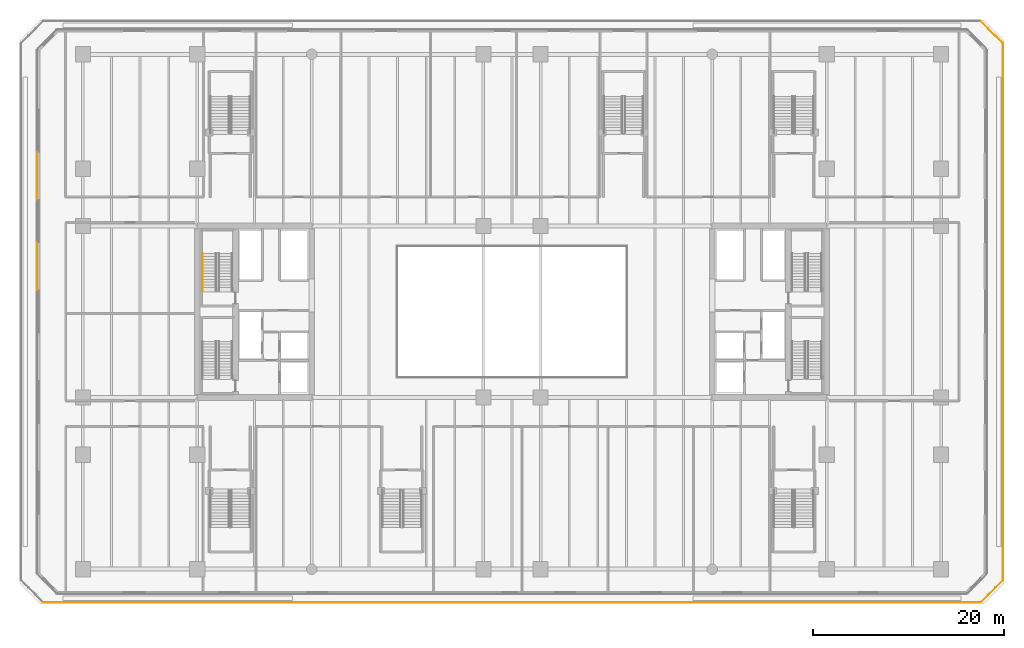
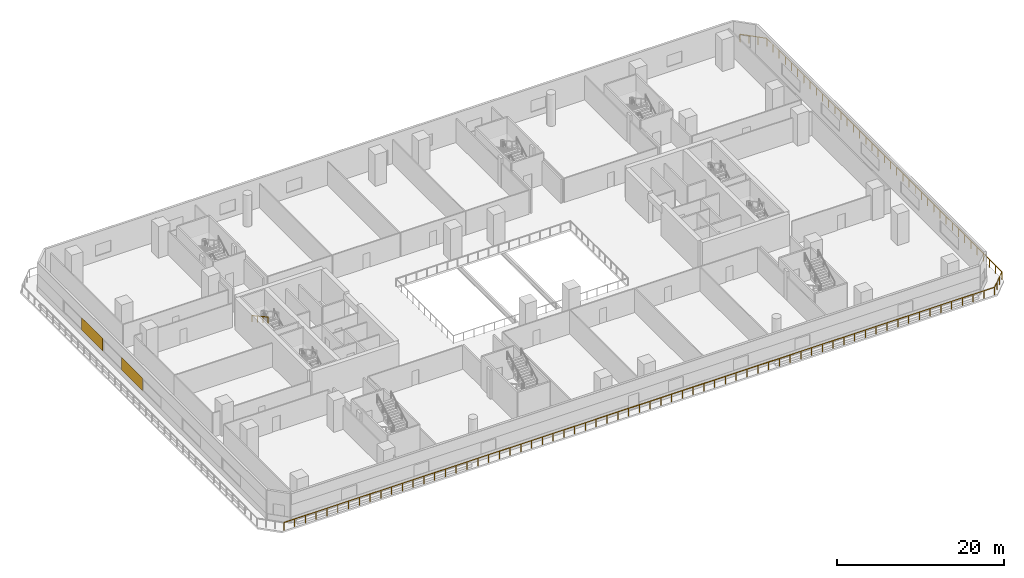
# One storey, part 17 of 27: 2 coverings, 2 railings.
"""IFC4 building model written with IfcOpenShell, lengths in metres."""

import ifcopenshell
import ifcopenshell.guid

model = None  # the IFC model being written
_history = None  # IfcOwnerHistory: only IFC2X3 demands one
_inside = {}  # id of a spatial element -> (the spatial element, [elements in it])
_under = {}  # id of a project, library or spatial element -> (it, [spatial elements below it])
_declared = {}  # id of a project -> (the project, [libraries it declares])
_typed = {}  # id of a type object -> (the type object, [elements of that type])
_made_of = {}  # id of a material, layer set ... -> (it, [elements and type objects made of it])


def new_model(schema):
    """Start an empty IFC model of exactly this schema.

    Asked for "IFC4X3", IfcOpenShell would pick the latest addendum, in which some entities
    have other attributes; the version numbers below select the first issue.
    IFC2X3 requires an IfcOwnerHistory on every rooted entity: one is made here for all.
    """
    global model, _history
    if schema == "IFC4X3":
        model = ifcopenshell.file(schema_version=(4, 3, 0, 0))
    else:
        model = ifcopenshell.file(schema=schema)
    _inside.clear()
    _under.clear()
    _declared.clear()
    _typed.clear()
    _made_of.clear()
    _history = None
    if model.schema == "IFC2X3":
        org = make("IfcOrganization", Name="unknown")
        user = make(
            "IfcPersonAndOrganization",
            ThePerson=make("IfcPerson", FamilyName="unknown"),
            TheOrganization=org,
        )
        app = make(
            "IfcApplication",
            ApplicationDeveloper=org,
            Version="unknown",
            ApplicationFullName="unknown",
            ApplicationIdentifier="unknown",
        )
        _history = make(
            "IfcOwnerHistory",
            OwningUser=user,
            OwningApplication=app,
            ChangeAction="ADDED",
            CreationDate=0,
        )
    return model


def make(cls, **values):
    """One entity of the class cls with the attributes given. An attribute that is None is left unset."""
    return model.create_entity(
        cls, **{name: value for name, value in values.items() if value is not None}
    )


def rooted(cls, **values):
    """An entity with a GlobalId (a new one), such as an element, a storey or a relation."""
    return make(cls, GlobalId=ifcopenshell.guid.new(), OwnerHistory=_history, **values)


def si_unit(unit_type, name, prefix=None):
    """IfcSIUnit, for example si_unit("LENGTHUNIT", "METRE", prefix="MILLI")."""
    return make("IfcSIUnit", UnitType=unit_type, Prefix=prefix, Name=name)


def assignment(units):
    """IfcUnitAssignment: the units of a project."""
    return None if units is None else make("IfcUnitAssignment", Units=units)


def point(xyz):
    """IfcCartesianPoint."""
    return None if xyz is None else make("IfcCartesianPoint", Coordinates=xyz)


def direction(xyz):
    """IfcDirection."""
    return None if xyz is None else make("IfcDirection", DirectionRatios=xyz)


def frame(location, z_axis=None, x_axis=None):
    """IfcAxis2Placement3D, a coordinate frame: its origin and axes. An axis left out is left unset."""
    return make(
        "IfcAxis2Placement3D",
        Location=point(location),
        Axis=direction(z_axis),
        RefDirection=direction(x_axis),
    )


def frame_2d(location, x_axis=None):
    """IfcAxis2Placement2D, a coordinate frame in the plane: its origin and x axis."""
    return make(
        "IfcAxis2Placement2D", Location=point(location), RefDirection=direction(x_axis)
    )


def origin():
    """The frame at (0, 0, 0) with its axes left unset."""
    return frame((0.0, 0.0, 0.0))


def origin_2d():
    """The frame at (0, 0) in the plane with its x axis left unset."""
    return frame_2d((0.0, 0.0))


def place(relative_to, where):
    """IfcLocalPlacement: puts the frame where relative to a parent placement (None: the world)."""
    return make(
        "IfcLocalPlacement", PlacementRelTo=relative_to, RelativePlacement=where
    )


def context(
    kind, dimensions, precision=None, world=None, true_north=None, identifier=None
):
    """IfcGeometricRepresentationContext, for example the 3D "Model" context."""
    return make(
        "IfcGeometricRepresentationContext",
        ContextIdentifier=identifier,
        ContextType=kind,
        CoordinateSpaceDimension=dimensions,
        Precision=precision,
        WorldCoordinateSystem=world,
        TrueNorth=true_north,
    )


def subcontext(parent, identifier, kind, view, scale=None):
    """IfcGeometricRepresentationSubContext, for example "Body" below "Model"."""
    return make(
        "IfcGeometricRepresentationSubContext",
        ContextIdentifier=identifier,
        ContextType=kind,
        ParentContext=parent,
        TargetScale=scale,
        TargetView=view,
    )


def project(units=None, contexts=None):
    """IfcProject with its units and contexts."""
    return rooted(
        "IfcProject",
        Name="project",
        RepresentationContexts=contexts,
        UnitsInContext=assignment(units),
    )


def spatial(cls, under=None, at=None, **own):
    """A site, building, storey or space (cls), placed at a placement, below another one or the project."""
    s = rooted(cls, ObjectPlacement=at, **own)
    if under is not None:
        _under.setdefault(under.id(), (under, []))[1].append(s)
    return s


def profile(cls, at=None, kind="AREA", **sizes):
    """A parametric profile (cls). Its sizes go by their IFC names, for example OverallWidth=200.0."""
    return make(cls, ProfileType=kind, Position=at, **sizes)


def rectangle(**sizes):
    """IfcRectangleProfileDef."""
    return profile("IfcRectangleProfileDef", **sizes)


def extrude(swept, where, along, depth):
    """IfcExtrudedAreaSolid: the profile swept, set in the frame where, extruded along a direction by depth."""
    return make(
        "IfcExtrudedAreaSolid",
        SweptArea=swept,
        Position=where,
        ExtrudedDirection=direction(along),
        Depth=depth,
    )


def shape(context_of_items, identifier, shape_type, items):
    """IfcShapeRepresentation: the items that make up one representation, for example the "Body"."""
    return make(
        "IfcShapeRepresentation",
        ContextOfItems=context_of_items,
        RepresentationIdentifier=identifier,
        RepresentationType=shape_type,
        Items=items,
    )


def material(Name=None, Category=None):
    """IfcMaterial."""
    return make("IfcMaterial", Name=Name, Category=Category)


def layer(
    of_material, thickness, ventilated=None, Name=None, Category=None, Priority=None
):
    """IfcMaterialLayer: one layer of a wall or slab, of a material (None: an air gap)."""
    return make(
        "IfcMaterialLayer",
        Material=of_material,
        LayerThickness=thickness,
        IsVentilated=ventilated,
        Name=Name,
        Category=Category,
        Priority=Priority,
    )


def layer_set(layers, Name=None):
    """IfcMaterialLayerSet."""
    return make("IfcMaterialLayerSet", MaterialLayers=layers, LayerSetName=Name)


def made_of(thing, what):
    """Note that an element or type object is made of a material, layer set ...; save() writes the relation."""
    if what is not None:
        _made_of.setdefault(what.id(), (what, []))[1].append(thing)
    return thing


def type_object(cls, material=None, **own):
    """A type object (cls), such as IfcWallType, which elements share."""
    return made_of(rooted(cls, **own), material)


def element(
    cls,
    number,
    at=None,
    inside=None,
    cuts=None,
    type_object=None,
    material=None,
    context=None,
    identifier="Body",
    shape_type=None,
    held_by="IfcProductDefinitionShape",
    body=None,
    shapes=None,
    **own,
):
    """One element of the class cls, such as IfcWall. Its Tag is "e" and its number.

    at: its placement. inside: the storey or other place that contains it. cuts: it is an
    opening in that element (IfcRelVoidsElement). A single representation is given by context,
    identifier, shape_type and body (its items); several are given by shapes. held_by: the class
    of the entity that holds the representations. save() writes the other relations.
    """
    e = rooted(cls, Tag="e%d" % number, ObjectPlacement=at, **own)
    if body is not None:
        shapes = [shape(context, identifier, shape_type, body)]
    if shapes is not None:
        e.Representation = make(held_by, Representations=shapes)
    if inside is not None:
        _inside.setdefault(inside.id(), (inside, []))[1].append(e)
    if cuts is not None:
        rooted(
            "IfcRelVoidsElement", RelatingBuildingElement=cuts, RelatedOpeningElement=e
        )
    if type_object is not None:
        _typed.setdefault(type_object.id(), (type_object, []))[1].append(e)
    return made_of(e, material)


def aggregate(whole, parts):
    """IfcRelAggregates: a whole, such as a stair, and the parts it consists of."""
    return rooted("IfcRelAggregates", RelatingObject=whole, RelatedObjects=parts)


def save(model, path):
    """Write the relations noted so far, then the file.

    IfcRelAggregates (storeys below a building ...), IfcRelContainedInSpatialStructure (elements
    in a storey), IfcRelDefinesByType, IfcRelAssociatesMaterial and IfcRelDeclares: one each for
    every whole, place, type object, material and project.
    """
    for whole, parts in _under.values():
        aggregate(whole, parts)
    for where, things in _inside.values():
        rooted(
            "IfcRelContainedInSpatialStructure",
            RelatedElements=things,
            RelatingStructure=where,
        )
    for kind, things in _typed.values():
        rooted("IfcRelDefinesByType", RelatedObjects=things, RelatingType=kind)
    for what, things in _made_of.values():
        rooted("IfcRelAssociatesMaterial", RelatedObjects=things, RelatingMaterial=what)
    for by, libraries in _declared.values():
        rooted("IfcRelDeclares", RelatingContext=by, RelatedDefinitions=libraries)
    model.write(path)


model = new_model("IFC4")

# Units and contexts
model_context = context("Model", 3, precision=1e-05, world=origin(), true_north=direction((0.0, 1.0)))
body_context = subcontext(model_context, "Body", "Model", "MODEL_VIEW")
ifc_project = project(units=[si_unit("LENGTHUNIT", "METRE"), si_unit("AREAUNIT", "SQUARE_METRE"), si_unit("VOLUMEUNIT", "CUBIC_METRE"), si_unit("PLANEANGLEUNIT", "RADIAN"), si_unit("MASSUNIT", "GRAM", prefix="KILO")], contexts=[model_context])

# Site, building, storey
site_placement = place(None, origin())
site = spatial("IfcSite", under=ifc_project, at=site_placement, CompositionType="ELEMENT")
building_placement = place(site_placement, origin())
building = spatial("IfcBuilding", under=site, at=building_placement, Name="Tanjung Sevakor Pilgrim Tower", CompositionType="ELEMENT")
storey_placement = place(building_placement, frame((0.0, 0.0, 19.469970703125)))
storey = spatial("IfcBuildingStorey", under=building, at=storey_placement, Name="L05", CompositionType="ELEMENT", Elevation=19.469970703125)

# Coverings
ifc_material_1 = material(Name="Reconstructed Limestone Cladding", Category="masonry")
ifc_layer = layer(ifc_material_1, 0.044921875)
ifc_layer_set = layer_set([ifc_layer], Name="COV-CLAD-LIMESTONE")
covering_type = type_object("IfcCoveringType", Name="COV-CLAD-LIMESTONE", PredefinedType="CLADDING", material=ifc_layer_set)
for number, where, z_axis, x_axis, name in (
    (1, (7.177490234375, 47.85009765625, 0.85009765625), (0.0, 0.0, 1.0), (0.0, -1.0, 0.0), "L05 Warm Limestone Pier Panel EW-L05-MAIN-7-2"),
    (2, (7.177490234375, 38.35009765625, 0.85009765625), (0.0, 0.0, 1.0), (0.0, -1.0, 0.0), "L05 Warm Limestone Pier Panel EW-L05-MAIN-7-3"),
):
    element("IfcCovering", number, at=place(storey_placement, frame(where, z_axis=z_axis, x_axis=x_axis)), inside=storey, type_object=covering_type, Name=name, PredefinedType="CLADDING", context=body_context, shape_type="SweptSolid", body=[
        extrude(rectangle(XDim=5.0, YDim=0.044921875, at=origin_2d()), origin(), (0.0, 0.0, 1.0), 1.81005859375),
    ])

# Railings
ifc_material_2 = material(Name="Steel S355J2", Category="steel")
railing_type_1 = type_object("IfcRailingType", Name="RL-EXT-GUARD", PredefinedType="GUARDRAIL", material=ifc_material_2)
railing_1_placement = place(storey_placement, frame((7.84130859375, 3.10009765625, 0.0)))
element("IfcRailing", 3, at=railing_1_placement, inside=storey, type_object=railing_type_1, Name="L05 Terrace Perimeter Guardrail GR-PODTER-L05-1", PredefinedType="GUARDRAIL", context=body_context, shape_type="SweptSolid", body=[
    extrude(rectangle(XDim=0.0479, YDim=0.0479), frame((0.0, 0.0, 1.1259765625), z_axis=(1.0, 0.0, 0.0), x_axis=(0.0, 1.0, 0.0)), (0.0, 0.0, 1.0), 98.3173828125),
    extrude(rectangle(XDim=0.0479, YDim=0.0479), frame((98.3173828125, 0.0, 1.1259765625), z_axis=(0.707106781187, 0.707106781187, 0.0), x_axis=(-0.707106781187, 0.707106781187, 0.0)), (0.0, 0.0, 1.0), 3.31103515625),
    extrude(rectangle(XDim=0.0479, YDim=0.0479), frame((100.65869140625, 2.34130859375, 1.1259765625), z_axis=(0.0, 1.0, 0.0), x_axis=(-1.0, 0.0, 0.0)), (0.0, 0.0, 1.0), 56.317138671875),
    extrude(rectangle(XDim=0.0479, YDim=0.0479), frame((100.65869140625, 58.658447265625, 1.1259765625), z_axis=(-0.707069915266, 0.707143645185, 0.0), x_axis=(-0.707143645185, -0.707069915266, 0.0)), (0.0, 0.0, 1.0), 3.311279296875),
    extrude(rectangle(XDim=0.042, YDim=0.042), origin(), (0.0, 0.0, 1.0), 1.101806640625),
    extrude(rectangle(XDim=0.042, YDim=0.042), frame((1.48974609375, 0.0, 0.0)), (0.0, 0.0, 1.0), 1.101806640625),
    extrude(rectangle(XDim=0.042, YDim=0.042), frame((2.979248046875, 0.0, 0.0)), (0.0, 0.0, 1.0), 1.101806640625),
    extrude(rectangle(XDim=0.042, YDim=0.042), frame((4.468994140625, 0.0, 0.0)), (0.0, 0.0, 1.0), 1.101806640625),
    extrude(rectangle(XDim=0.042, YDim=0.042), frame((5.958740234375, 0.0, 0.0)), (0.0, 0.0, 1.0), 1.101806640625),
    extrude(rectangle(XDim=0.042, YDim=0.042), frame((7.4482421875, 0.0, 0.0)), (0.0, 0.0, 1.0), 1.101806640625),
    extrude(rectangle(XDim=0.042, YDim=0.042), frame((8.93798828125, 0.0, 0.0)), (0.0, 0.0, 1.0), 1.101806640625),
    extrude(rectangle(XDim=0.042, YDim=0.042), frame((10.427490234375, 0.0, 0.0)), (0.0, 0.0, 1.0), 1.101806640625),
    extrude(rectangle(XDim=0.042, YDim=0.042), frame((11.917236328125, 0.0, 0.0)), (0.0, 0.0, 1.0), 1.101806640625),
    extrude(rectangle(XDim=0.042, YDim=0.042), frame((13.406982421875, 0.0, 0.0)), (0.0, 0.0, 1.0), 1.101806640625),
    extrude(rectangle(XDim=0.042, YDim=0.042), frame((14.896484375, 0.0, 0.0)), (0.0, 0.0, 1.0), 1.101806640625),
    extrude(rectangle(XDim=0.042, YDim=0.042), frame((16.38623046875, 0.0, 0.0)), (0.0, 0.0, 1.0), 1.101806640625),
    extrude(rectangle(XDim=0.042, YDim=0.042), frame((17.8759765625, 0.0, 0.0)), (0.0, 0.0, 1.0), 1.101806640625),
    extrude(rectangle(XDim=0.042, YDim=0.042), frame((19.365478515625, 0.0, 0.0)), (0.0, 0.0, 1.0), 1.101806640625),
    extrude(rectangle(XDim=0.042, YDim=0.042), frame((20.855224609375, 0.0, 0.0)), (0.0, 0.0, 1.0), 1.101806640625),
    extrude(rectangle(XDim=0.042, YDim=0.042), frame((22.344970703125, 0.0, 0.0)), (0.0, 0.0, 1.0), 1.101806640625),
    extrude(rectangle(XDim=0.042, YDim=0.042), frame((23.83447265625, 0.0, 0.0)), (0.0, 0.0, 1.0), 1.101806640625),
    extrude(rectangle(XDim=0.042, YDim=0.042), frame((25.32421875, 0.0, 0.0)), (0.0, 0.0, 1.0), 1.101806640625),
    extrude(rectangle(XDim=0.042, YDim=0.042), frame((26.813720703125, 0.0, 0.0)), (0.0, 0.0, 1.0), 1.101806640625),
    extrude(rectangle(XDim=0.042, YDim=0.042), frame((28.303466796875, 0.0, 0.0)), (0.0, 0.0, 1.0), 1.101806640625),
    extrude(rectangle(XDim=0.042, YDim=0.042), frame((29.793212890625, 0.0, 0.0)), (0.0, 0.0, 1.0), 1.101806640625),
    extrude(rectangle(XDim=0.042, YDim=0.042), frame((31.28271484375, 0.0, 0.0)), (0.0, 0.0, 1.0), 1.101806640625),
    extrude(rectangle(XDim=0.042, YDim=0.042), frame((32.7724609375, 0.0, 0.0)), (0.0, 0.0, 1.0), 1.101806640625),
    extrude(rectangle(XDim=0.042, YDim=0.042), frame((34.26220703125, 0.0, 0.0)), (0.0, 0.0, 1.0), 1.101806640625),
    extrude(rectangle(XDim=0.042, YDim=0.042), frame((35.751708984375, 0.0, 0.0)), (0.0, 0.0, 1.0), 1.101806640625),
    extrude(rectangle(XDim=0.042, YDim=0.042), frame((37.241455078125, 0.0, 0.0)), (0.0, 0.0, 1.0), 1.101806640625),
    extrude(rectangle(XDim=0.042, YDim=0.042), frame((38.731201171875, 0.0, 0.0)), (0.0, 0.0, 1.0), 1.101806640625),
    extrude(rectangle(XDim=0.042, YDim=0.042), frame((40.220703125, 0.0, 0.0)), (0.0, 0.0, 1.0), 1.101806640625),
    extrude(rectangle(XDim=0.042, YDim=0.042), frame((41.71044921875, 0.0, 0.0)), (0.0, 0.0, 1.0), 1.101806640625),
    extrude(rectangle(XDim=0.042, YDim=0.042), frame((43.199951171875, 0.0, 0.0)), (0.0, 0.0, 1.0), 1.101806640625),
    extrude(rectangle(XDim=0.042, YDim=0.042), frame((44.689697265625, 0.0, 0.0)), (0.0, 0.0, 1.0), 1.101806640625),
    extrude(rectangle(XDim=0.042, YDim=0.042), frame((46.179443359375, 0.0, 0.0)), (0.0, 0.0, 1.0), 1.101806640625),
    extrude(rectangle(XDim=0.042, YDim=0.042), frame((47.6689453125, 0.0, 0.0)), (0.0, 0.0, 1.0), 1.101806640625),
    extrude(rectangle(XDim=0.042, YDim=0.042), frame((49.15869140625, 0.0, 0.0)), (0.0, 0.0, 1.0), 1.101806640625),
    extrude(rectangle(XDim=0.042, YDim=0.042), frame((50.6484375, 0.0, 0.0)), (0.0, 0.0, 1.0), 1.101806640625),
    extrude(rectangle(XDim=0.042, YDim=0.042), frame((52.137939453125, 0.0, 0.0)), (0.0, 0.0, 1.0), 1.101806640625),
    extrude(rectangle(XDim=0.042, YDim=0.042), frame((53.627685546875, 0.0, 0.0)), (0.0, 0.0, 1.0), 1.101806640625),
    extrude(rectangle(XDim=0.042, YDim=0.042), frame((55.117431640625, 0.0, 0.0)), (0.0, 0.0, 1.0), 1.101806640625),
    extrude(rectangle(XDim=0.042, YDim=0.042), frame((56.60693359375, 0.0, 0.0)), (0.0, 0.0, 1.0), 1.101806640625),
    extrude(rectangle(XDim=0.042, YDim=0.042), frame((58.0966796875, 0.0, 0.0)), (0.0, 0.0, 1.0), 1.101806640625),
    extrude(rectangle(XDim=0.042, YDim=0.042), frame((59.586181640625, 0.0, 0.0)), (0.0, 0.0, 1.0), 1.101806640625),
    extrude(rectangle(XDim=0.042, YDim=0.042), frame((61.075927734375, 0.0, 0.0)), (0.0, 0.0, 1.0), 1.101806640625),
    extrude(rectangle(XDim=0.042, YDim=0.042), frame((62.565673828125, 0.0, 0.0)), (0.0, 0.0, 1.0), 1.101806640625),
    extrude(rectangle(XDim=0.042, YDim=0.042), frame((64.05517578125, 0.0, 0.0)), (0.0, 0.0, 1.0), 1.101806640625),
    extrude(rectangle(XDim=0.042, YDim=0.042), frame((65.544921875, 0.0, 0.0)), (0.0, 0.0, 1.0), 1.101806640625),
    extrude(rectangle(XDim=0.042, YDim=0.042), frame((67.03466796875, 0.0, 0.0)), (0.0, 0.0, 1.0), 1.101806640625),
    extrude(rectangle(XDim=0.042, YDim=0.042), frame((68.524169921875, 0.0, 0.0)), (0.0, 0.0, 1.0), 1.101806640625),
    extrude(rectangle(XDim=0.042, YDim=0.042), frame((70.013916015625, 0.0, 0.0)), (0.0, 0.0, 1.0), 1.101806640625),
    extrude(rectangle(XDim=0.042, YDim=0.042), frame((71.503662109375, 0.0, 0.0)), (0.0, 0.0, 1.0), 1.101806640625),
    extrude(rectangle(XDim=0.042, YDim=0.042), frame((72.9931640625, 0.0, 0.0)), (0.0, 0.0, 1.0), 1.101806640625),
    extrude(rectangle(XDim=0.042, YDim=0.042), frame((74.48291015625, 0.0, 0.0)), (0.0, 0.0, 1.0), 1.101806640625),
    extrude(rectangle(XDim=0.042, YDim=0.042), frame((75.972412109375, 0.0, 0.0)), (0.0, 0.0, 1.0), 1.101806640625),
    extrude(rectangle(XDim=0.042, YDim=0.042), frame((77.462158203125, 0.0, 0.0)), (0.0, 0.0, 1.0), 1.101806640625),
    extrude(rectangle(XDim=0.042, YDim=0.042), frame((78.951904296875, 0.0, 0.0)), (0.0, 0.0, 1.0), 1.101806640625),
    extrude(rectangle(XDim=0.042, YDim=0.042), frame((80.44140625, 0.0, 0.0)), (0.0, 0.0, 1.0), 1.101806640625),
    extrude(rectangle(XDim=0.042, YDim=0.042), frame((81.93115234375, 0.0, 0.0)), (0.0, 0.0, 1.0), 1.101806640625),
    extrude(rectangle(XDim=0.042, YDim=0.042), frame((83.4208984375, 0.0, 0.0)), (0.0, 0.0, 1.0), 1.101806640625),
    extrude(rectangle(XDim=0.042, YDim=0.042), frame((84.910400390625, 0.0, 0.0)), (0.0, 0.0, 1.0), 1.101806640625),
    extrude(rectangle(XDim=0.042, YDim=0.042), frame((86.400146484375, 0.0, 0.0)), (0.0, 0.0, 1.0), 1.101806640625),
    extrude(rectangle(XDim=0.042, YDim=0.042), frame((87.889892578125, 0.0, 0.0)), (0.0, 0.0, 1.0), 1.101806640625),
    extrude(rectangle(XDim=0.042, YDim=0.042), frame((89.37939453125, 0.0, 0.0)), (0.0, 0.0, 1.0), 1.101806640625),
    extrude(rectangle(XDim=0.042, YDim=0.042), frame((90.869140625, 0.0, 0.0)), (0.0, 0.0, 1.0), 1.101806640625),
    extrude(rectangle(XDim=0.042, YDim=0.042), frame((92.358642578125, 0.0, 0.0)), (0.0, 0.0, 1.0), 1.101806640625),
    extrude(rectangle(XDim=0.042, YDim=0.042), frame((93.848388671875, 0.0, 0.0)), (0.0, 0.0, 1.0), 1.101806640625),
    extrude(rectangle(XDim=0.042, YDim=0.042), frame((95.338134765625, 0.0, 0.0)), (0.0, 0.0, 1.0), 1.101806640625),
    extrude(rectangle(XDim=0.042, YDim=0.042), frame((96.82763671875, 0.0, 0.0)), (0.0, 0.0, 1.0), 1.101806640625),
    extrude(rectangle(XDim=0.042, YDim=0.042), frame((98.3173828125, 0.0, 0.0)), (0.0, 0.0, 1.0), 1.101806640625),
    extrude(rectangle(XDim=0.042, YDim=0.042), frame((99.097900390625, 0.780517578125, 0.0)), (0.0, 0.0, 1.0), 1.101806640625),
    extrude(rectangle(XDim=0.042, YDim=0.042), frame((99.878173828125, 1.560791015625, 0.0)), (0.0, 0.0, 1.0), 1.101806640625),
    extrude(rectangle(XDim=0.042, YDim=0.042), frame((100.65869140625, 2.34130859375, 0.0)), (0.0, 0.0, 1.0), 1.101806640625),
    extrude(rectangle(XDim=0.042, YDim=0.042), frame((100.65869140625, 3.8232421875, 0.0)), (0.0, 0.0, 1.0), 1.101806640625),
    extrude(rectangle(XDim=0.042, YDim=0.042), frame((100.65869140625, 5.305419921875, 0.0)), (0.0, 0.0, 1.0), 1.101806640625),
    extrude(rectangle(XDim=0.042, YDim=0.042), frame((100.65869140625, 6.787353515625, 0.0)), (0.0, 0.0, 1.0), 1.101806640625),
    extrude(rectangle(XDim=0.042, YDim=0.042), frame((100.65869140625, 8.26953125, 0.0)), (0.0, 0.0, 1.0), 1.101806640625),
    extrude(rectangle(XDim=0.042, YDim=0.042), frame((100.65869140625, 9.75146484375, 0.0)), (0.0, 0.0, 1.0), 1.101806640625),
    extrude(rectangle(XDim=0.042, YDim=0.042), frame((100.65869140625, 11.2333984375, 0.0)), (0.0, 0.0, 1.0), 1.101806640625),
    extrude(rectangle(XDim=0.042, YDim=0.042), frame((100.65869140625, 12.715576171875, 0.0)), (0.0, 0.0, 1.0), 1.101806640625),
    extrude(rectangle(XDim=0.042, YDim=0.042), frame((100.65869140625, 14.197509765625, 0.0)), (0.0, 0.0, 1.0), 1.101806640625),
    extrude(rectangle(XDim=0.042, YDim=0.042), frame((100.65869140625, 15.6796875, 0.0)), (0.0, 0.0, 1.0), 1.101806640625),
    extrude(rectangle(XDim=0.042, YDim=0.042), frame((100.65869140625, 17.16162109375, 0.0)), (0.0, 0.0, 1.0), 1.101806640625),
    extrude(rectangle(XDim=0.042, YDim=0.042), frame((100.65869140625, 18.6435546875, 0.0)), (0.0, 0.0, 1.0), 1.101806640625),
    extrude(rectangle(XDim=0.042, YDim=0.042), frame((100.65869140625, 20.125732421875, 0.0)), (0.0, 0.0, 1.0), 1.101806640625),
    extrude(rectangle(XDim=0.042, YDim=0.042), frame((100.65869140625, 21.607666015625, 0.0)), (0.0, 0.0, 1.0), 1.101806640625),
    extrude(rectangle(XDim=0.042, YDim=0.042), frame((100.65869140625, 23.08984375, 0.0)), (0.0, 0.0, 1.0), 1.101806640625),
    extrude(rectangle(XDim=0.042, YDim=0.042), frame((100.65869140625, 24.57177734375, 0.0)), (0.0, 0.0, 1.0), 1.101806640625),
    extrude(rectangle(XDim=0.042, YDim=0.042), frame((100.65869140625, 26.0537109375, 0.0)), (0.0, 0.0, 1.0), 1.101806640625),
    extrude(rectangle(XDim=0.042, YDim=0.042), frame((100.65869140625, 27.535888671875, 0.0)), (0.0, 0.0, 1.0), 1.101806640625),
    extrude(rectangle(XDim=0.042, YDim=0.042), frame((100.65869140625, 29.017822265625, 0.0)), (0.0, 0.0, 1.0), 1.101806640625),
    extrude(rectangle(XDim=0.042, YDim=0.042), frame((100.65869140625, 30.5, 0.0)), (0.0, 0.0, 1.0), 1.101806640625),
    extrude(rectangle(XDim=0.042, YDim=0.042), frame((100.65869140625, 31.98193359375, 0.0)), (0.0, 0.0, 1.0), 1.101806640625),
    extrude(rectangle(XDim=0.042, YDim=0.042), frame((100.65869140625, 33.4638671875, 0.0)), (0.0, 0.0, 1.0), 1.101806640625),
    extrude(rectangle(XDim=0.042, YDim=0.042), frame((100.65869140625, 34.946044921875, 0.0)), (0.0, 0.0, 1.0), 1.101806640625),
    extrude(rectangle(XDim=0.042, YDim=0.042), frame((100.65869140625, 36.427978515625, 0.0)), (0.0, 0.0, 1.0), 1.101806640625),
    extrude(rectangle(XDim=0.042, YDim=0.042), frame((100.65869140625, 37.909912109375, 0.0)), (0.0, 0.0, 1.0), 1.101806640625),
    extrude(rectangle(XDim=0.042, YDim=0.042), frame((100.65869140625, 39.39208984375, 0.0)), (0.0, 0.0, 1.0), 1.101806640625),
    extrude(rectangle(XDim=0.042, YDim=0.042), frame((100.65869140625, 40.8740234375, 0.0)), (0.0, 0.0, 1.0), 1.101806640625),
    extrude(rectangle(XDim=0.042, YDim=0.042), frame((100.65869140625, 42.356201171875, 0.0)), (0.0, 0.0, 1.0), 1.101806640625),
    extrude(rectangle(XDim=0.042, YDim=0.042), frame((100.65869140625, 43.838134765625, 0.0)), (0.0, 0.0, 1.0), 1.101806640625),
    extrude(rectangle(XDim=0.042, YDim=0.042), frame((100.65869140625, 45.320068359375, 0.0)), (0.0, 0.0, 1.0), 1.101806640625),
    extrude(rectangle(XDim=0.042, YDim=0.042), frame((100.65869140625, 46.80224609375, 0.0)), (0.0, 0.0, 1.0), 1.101806640625),
    extrude(rectangle(XDim=0.042, YDim=0.042), frame((100.65869140625, 48.2841796875, 0.0)), (0.0, 0.0, 1.0), 1.101806640625),
    extrude(rectangle(XDim=0.042, YDim=0.042), frame((100.65869140625, 49.766357421875, 0.0)), (0.0, 0.0, 1.0), 1.101806640625),
    extrude(rectangle(XDim=0.042, YDim=0.042), frame((100.65869140625, 51.248291015625, 0.0)), (0.0, 0.0, 1.0), 1.101806640625),
    extrude(rectangle(XDim=0.042, YDim=0.042), frame((100.65869140625, 52.730224609375, 0.0)), (0.0, 0.0, 1.0), 1.101806640625),
    extrude(rectangle(XDim=0.042, YDim=0.042), frame((100.65869140625, 54.21240234375, 0.0)), (0.0, 0.0, 1.0), 1.101806640625),
    extrude(rectangle(XDim=0.042, YDim=0.042), frame((100.65869140625, 55.6943359375, 0.0)), (0.0, 0.0, 1.0), 1.101806640625),
    extrude(rectangle(XDim=0.042, YDim=0.042), frame((100.65869140625, 57.176513671875, 0.0)), (0.0, 0.0, 1.0), 1.101806640625),
    extrude(rectangle(XDim=0.042, YDim=0.042), frame((100.65869140625, 58.658447265625, 0.0)), (0.0, 0.0, 1.0), 1.101806640625),
    extrude(rectangle(XDim=0.042, YDim=0.042), frame((99.878173828125, 59.43896484375, 0.0)), (0.0, 0.0, 1.0), 1.101806640625),
    extrude(rectangle(XDim=0.042, YDim=0.042), frame((99.097900390625, 60.219482421875, 0.0)), (0.0, 0.0, 1.0), 1.101806640625),
    extrude(rectangle(XDim=0.042, YDim=0.042), frame((98.3173828125, 61.0, 0.0)), (0.0, 0.0, 1.0), 1.101806640625),
])
ifc_material_3 = material(Name="Steel S355J2", Category="steel")
railing_type_2 = type_object("IfcRailingType", Name="RL-STAIR-HAND", PredefinedType="HANDRAIL", material=ifc_material_3)
railing_2_placement = place(storey_placement, frame((24.550048828125, 39.699951171875, 2.47509765625)))
element("IfcRailing", 4, at=railing_2_placement, inside=storey, type_object=railing_type_2, Name="L05 TS-W2 stair handrail 2", PredefinedType="HANDRAIL", context=body_context, shape_type="SweptSolid", body=[
    extrude(rectangle(XDim=0.0479, YDim=0.0479), frame((0.0, 0.0, 0.8759765625), z_axis=(0.0, -0.876208959939, 0.481931383625), x_axis=(1.0, 0.0, 0.0)), (0.0, 0.0, 1.0), 4.450927734375),
    extrude(rectangle(XDim=0.042, YDim=0.042), origin(), (0.0, 0.0, 1.0), 0.851806640625),
    extrude(rectangle(XDim=0.042, YDim=0.042), frame((0.0, -1.300048828125, 0.715087890625)), (0.0, 0.0, 1.0), 0.851806640625),
    extrude(rectangle(XDim=0.042, YDim=0.042), frame((0.0, -2.599853515625, 1.429931640625)), (0.0, 0.0, 1.0), 0.851806640625),
    extrude(rectangle(XDim=0.042, YDim=0.042), frame((0.0, -3.89990234375, 2.14501953125)), (0.0, 0.0, 1.0), 0.851806640625),
])

save(model, "model.ifc")
